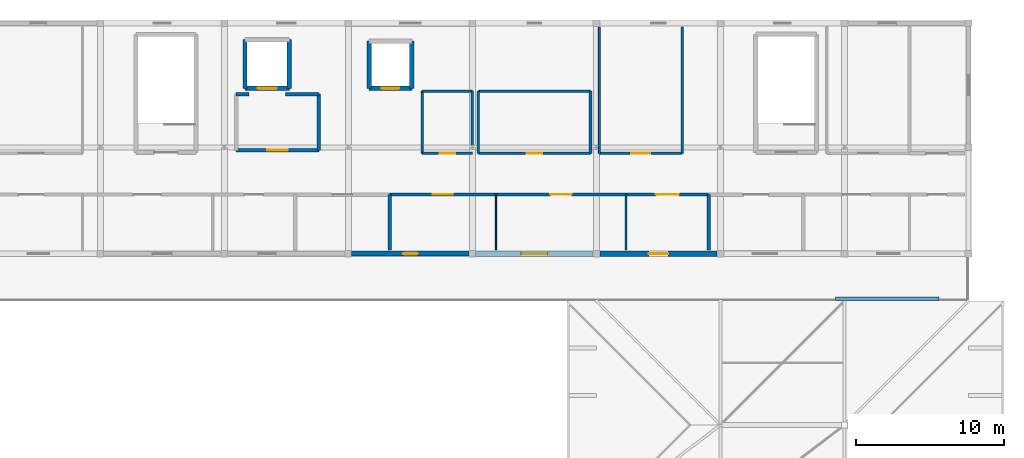
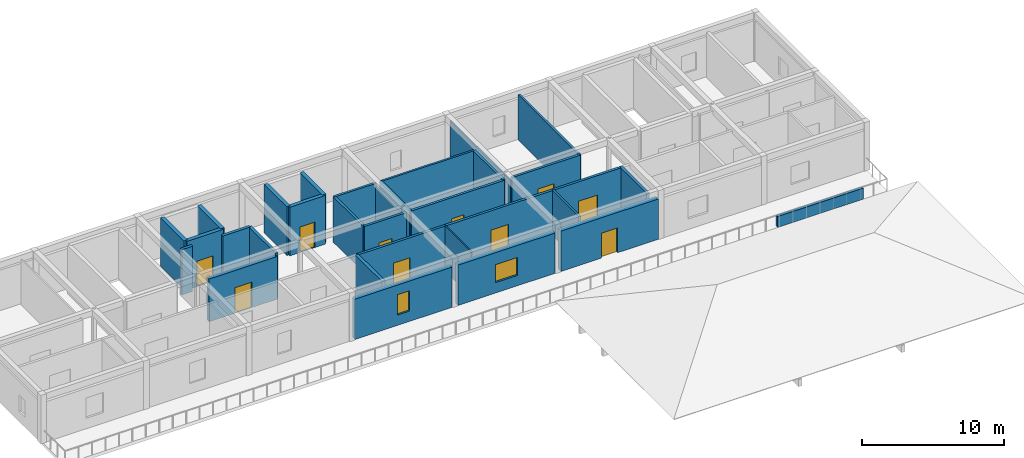
# One storey, part 18 of 22: 32 walls, 10 doors, 2 windows, 12 openings.
"""IFC4 building model written with IfcOpenShell, lengths in metres."""

import ifcopenshell
import ifcopenshell.guid

model = None  # the IFC model being written
_history = None  # IfcOwnerHistory: only IFC2X3 demands one
_inside = {}  # id of a spatial element -> (the spatial element, [elements in it])
_under = {}  # id of a project, library or spatial element -> (it, [spatial elements below it])
_declared = {}  # id of a project -> (the project, [libraries it declares])
_typed = {}  # id of a type object -> (the type object, [elements of that type])
_made_of = {}  # id of a material, layer set ... -> (it, [elements and type objects made of it])


def new_model(schema):
    """Start an empty IFC model of exactly this schema.

    Asked for "IFC4X3", IfcOpenShell would pick the latest addendum, in which some entities
    have other attributes; the version numbers below select the first issue.
    IFC2X3 requires an IfcOwnerHistory on every rooted entity: one is made here for all.
    """
    global model, _history
    if schema == "IFC4X3":
        model = ifcopenshell.file(schema_version=(4, 3, 0, 0))
    else:
        model = ifcopenshell.file(schema=schema)
    _inside.clear()
    _under.clear()
    _declared.clear()
    _typed.clear()
    _made_of.clear()
    _history = None
    if model.schema == "IFC2X3":
        org = make("IfcOrganization", Name="unknown")
        user = make(
            "IfcPersonAndOrganization",
            ThePerson=make("IfcPerson", FamilyName="unknown"),
            TheOrganization=org,
        )
        app = make(
            "IfcApplication",
            ApplicationDeveloper=org,
            Version="unknown",
            ApplicationFullName="unknown",
            ApplicationIdentifier="unknown",
        )
        _history = make(
            "IfcOwnerHistory",
            OwningUser=user,
            OwningApplication=app,
            ChangeAction="ADDED",
            CreationDate=0,
        )
    return model


def make(cls, **values):
    """One entity of the class cls with the attributes given. An attribute that is None is left unset."""
    return model.create_entity(
        cls, **{name: value for name, value in values.items() if value is not None}
    )


def rooted(cls, **values):
    """An entity with a GlobalId (a new one), such as an element, a storey or a relation."""
    return make(cls, GlobalId=ifcopenshell.guid.new(), OwnerHistory=_history, **values)


def si_unit(unit_type, name, prefix=None):
    """IfcSIUnit, for example si_unit("LENGTHUNIT", "METRE", prefix="MILLI")."""
    return make("IfcSIUnit", UnitType=unit_type, Prefix=prefix, Name=name)


def assignment(units):
    """IfcUnitAssignment: the units of a project."""
    return None if units is None else make("IfcUnitAssignment", Units=units)


def point(xyz):
    """IfcCartesianPoint."""
    return None if xyz is None else make("IfcCartesianPoint", Coordinates=xyz)


def direction(xyz):
    """IfcDirection."""
    return None if xyz is None else make("IfcDirection", DirectionRatios=xyz)


def frame(location, z_axis=None, x_axis=None):
    """IfcAxis2Placement3D, a coordinate frame: its origin and axes. An axis left out is left unset."""
    return make(
        "IfcAxis2Placement3D",
        Location=point(location),
        Axis=direction(z_axis),
        RefDirection=direction(x_axis),
    )


def frame_2d(location, x_axis=None):
    """IfcAxis2Placement2D, a coordinate frame in the plane: its origin and x axis."""
    return make(
        "IfcAxis2Placement2D", Location=point(location), RefDirection=direction(x_axis)
    )


def origin():
    """The frame at (0, 0, 0) with its axes left unset."""
    return frame((0.0, 0.0, 0.0))


def place(relative_to, where):
    """IfcLocalPlacement: puts the frame where relative to a parent placement (None: the world)."""
    return make(
        "IfcLocalPlacement", PlacementRelTo=relative_to, RelativePlacement=where
    )


def context(
    kind, dimensions, precision=None, world=None, true_north=None, identifier=None
):
    """IfcGeometricRepresentationContext, for example the 3D "Model" context."""
    return make(
        "IfcGeometricRepresentationContext",
        ContextIdentifier=identifier,
        ContextType=kind,
        CoordinateSpaceDimension=dimensions,
        Precision=precision,
        WorldCoordinateSystem=world,
        TrueNorth=true_north,
    )


def subcontext(parent, identifier, kind, view, scale=None):
    """IfcGeometricRepresentationSubContext, for example "Body" below "Model"."""
    return make(
        "IfcGeometricRepresentationSubContext",
        ContextIdentifier=identifier,
        ContextType=kind,
        ParentContext=parent,
        TargetScale=scale,
        TargetView=view,
    )


def project(units=None, contexts=None):
    """IfcProject with its units and contexts."""
    return rooted(
        "IfcProject",
        Name="project",
        RepresentationContexts=contexts,
        UnitsInContext=assignment(units),
    )


def spatial(cls, under=None, at=None, **own):
    """A site, building, storey or space (cls), placed at a placement, below another one or the project."""
    s = rooted(cls, ObjectPlacement=at, **own)
    if under is not None:
        _under.setdefault(under.id(), (under, []))[1].append(s)
    return s


def profile(cls, at=None, kind="AREA", **sizes):
    """A parametric profile (cls). Its sizes go by their IFC names, for example OverallWidth=200.0."""
    return make(cls, ProfileType=kind, Position=at, **sizes)


def rectangle(**sizes):
    """IfcRectangleProfileDef."""
    return profile("IfcRectangleProfileDef", **sizes)


def extrude(swept, where, along, depth):
    """IfcExtrudedAreaSolid: the profile swept, set in the frame where, extruded along a direction by depth."""
    return make(
        "IfcExtrudedAreaSolid",
        SweptArea=swept,
        Position=where,
        ExtrudedDirection=direction(along),
        Depth=depth,
    )


def shape(context_of_items, identifier, shape_type, items):
    """IfcShapeRepresentation: the items that make up one representation, for example the "Body"."""
    return make(
        "IfcShapeRepresentation",
        ContextOfItems=context_of_items,
        RepresentationIdentifier=identifier,
        RepresentationType=shape_type,
        Items=items,
    )


def material(Name=None, Category=None):
    """IfcMaterial."""
    return make("IfcMaterial", Name=Name, Category=Category)


def layer(
    of_material, thickness, ventilated=None, Name=None, Category=None, Priority=None
):
    """IfcMaterialLayer: one layer of a wall or slab, of a material (None: an air gap)."""
    return make(
        "IfcMaterialLayer",
        Material=of_material,
        LayerThickness=thickness,
        IsVentilated=ventilated,
        Name=Name,
        Category=Category,
        Priority=Priority,
    )


def layer_set(layers, Name=None):
    """IfcMaterialLayerSet."""
    return make("IfcMaterialLayerSet", MaterialLayers=layers, LayerSetName=Name)


def made_of(thing, what):
    """Note that an element or type object is made of a material, layer set ...; save() writes the relation."""
    if what is not None:
        _made_of.setdefault(what.id(), (what, []))[1].append(thing)
    return thing


def type_object(cls, material=None, **own):
    """A type object (cls), such as IfcWallType, which elements share."""
    return made_of(rooted(cls, **own), material)


def element(
    cls,
    number,
    at=None,
    inside=None,
    cuts=None,
    type_object=None,
    material=None,
    context=None,
    identifier="Body",
    shape_type=None,
    held_by="IfcProductDefinitionShape",
    body=None,
    shapes=None,
    **own,
):
    """One element of the class cls, such as IfcWall. Its Tag is "e" and its number.

    at: its placement. inside: the storey or other place that contains it. cuts: it is an
    opening in that element (IfcRelVoidsElement). A single representation is given by context,
    identifier, shape_type and body (its items); several are given by shapes. held_by: the class
    of the entity that holds the representations. save() writes the other relations.
    """
    e = rooted(cls, Tag="e%d" % number, ObjectPlacement=at, **own)
    if body is not None:
        shapes = [shape(context, identifier, shape_type, body)]
    if shapes is not None:
        e.Representation = make(held_by, Representations=shapes)
    if inside is not None:
        _inside.setdefault(inside.id(), (inside, []))[1].append(e)
    if cuts is not None:
        rooted(
            "IfcRelVoidsElement", RelatingBuildingElement=cuts, RelatedOpeningElement=e
        )
    if type_object is not None:
        _typed.setdefault(type_object.id(), (type_object, []))[1].append(e)
    return made_of(e, material)


def fill(opening, filler):
    """IfcRelFillsElement: the door or window that sits in an opening."""
    return rooted(
        "IfcRelFillsElement",
        RelatingOpeningElement=opening,
        RelatedBuildingElement=filler,
    )


def aggregate(whole, parts):
    """IfcRelAggregates: a whole, such as a stair, and the parts it consists of."""
    return rooted("IfcRelAggregates", RelatingObject=whole, RelatedObjects=parts)


def save(model, path):
    """Write the relations noted so far, then the file.

    IfcRelAggregates (storeys below a building ...), IfcRelContainedInSpatialStructure (elements
    in a storey), IfcRelDefinesByType, IfcRelAssociatesMaterial and IfcRelDeclares: one each for
    every whole, place, type object, material and project.
    """
    for whole, parts in _under.values():
        aggregate(whole, parts)
    for where, things in _inside.values():
        rooted(
            "IfcRelContainedInSpatialStructure",
            RelatedElements=things,
            RelatingStructure=where,
        )
    for kind, things in _typed.values():
        rooted("IfcRelDefinesByType", RelatedObjects=things, RelatingType=kind)
    for what, things in _made_of.values():
        rooted("IfcRelAssociatesMaterial", RelatedObjects=things, RelatingMaterial=what)
    for by, libraries in _declared.values():
        rooted("IfcRelDeclares", RelatingContext=by, RelatedDefinitions=libraries)
    model.write(path)


model = new_model("IFC4")

# Units and contexts
model_context = context("Model", 3, precision=1e-05, world=origin(), true_north=direction((0.0, 1.0)))
body_context = subcontext(model_context, "Body", "Model", "MODEL_VIEW")
ifc_project = project(units=[si_unit("LENGTHUNIT", "METRE"), si_unit("AREAUNIT", "SQUARE_METRE"), si_unit("VOLUMEUNIT", "CUBIC_METRE"), si_unit("PLANEANGLEUNIT", "RADIAN"), si_unit("MASSUNIT", "GRAM", prefix="KILO")], contexts=[model_context])

# Site, building, storey
site_placement = place(None, origin())
site = spatial("IfcSite", under=ifc_project, at=site_placement, CompositionType="ELEMENT")
building_placement = place(site_placement, origin())
building = spatial("IfcBuilding", under=site, at=building_placement, Name="Varncliffe General Hospital", CompositionType="ELEMENT")
storey_placement = place(building_placement, frame((0.0, 0.0, 33.0)))
storey = spatial("IfcBuildingStorey", under=building, at=storey_placement, Name="L07", CompositionType="ELEMENT", Elevation=33.0)

# Wall, opening, door
ifc_material_1 = material(Name="Precast concrete C40/50 with insulated cream lime-cement stucco", Category="concrete")
ifc_layer_1 = layer(ifc_material_1, 0.3798828125)
ifc_layer_set_1 = layer_set([ifc_layer_1], Name="Precast concrete C40/50 with insulated cream lime-cement stucco")
wall_type_1 = type_object("IfcWallType", Name="Exterior Insulated Stucco Wall EW26 (380mm)", PredefinedType="SOLIDWALL", material=ifc_layer_set_1)
wall_1_placement = place(storey_placement, frame((159.376953125, 109.199951171875, 0.0), z_axis=(0.0, 0.0, 1.0), x_axis=(-1.0, 0.0, 0.0)))
wall_1 = element("IfcWall", 1, at=wall_1_placement, inside=storey, type_object=wall_type_1, Name="L07 Exterior Stucco Wall EW26-571", PredefinedType="SOLIDWALL", context=body_context, shape_type="SweptSolid", body=[
    extrude(rectangle(XDim=7.953857421875, YDim=0.3798828125, at=frame_2d((3.97705078125, 0.0))), origin(), (0.0, 0.0, 1.0), 3.47998046875),
])
opening_1_placement = place(wall_1_placement, frame((3.326904296875, 0.0, 0.0)))
opening_1 = element("IfcOpeningElement", 2, at=opening_1_placement, cuts=wall_1, Name="Opening DE35", PredefinedType="OPENING", context=body_context, shape_type="SweptSolid", body=[
    extrude(rectangle(XDim=1.300048828125, YDim=2.14990234375, at=frame_2d((0.64990234375, 1.074951171875))), frame((0.0, 0.199951171875, 0.0), z_axis=(0.0, -1.0, 0.0), x_axis=(1.0, 0.0, 0.0)), (0.0, 0.0, 1.0), 0.39990234375),
])
ifc_material_2 = material(Name="Thermally broken bronze-anodized aluminium and safety glass door", Category="aluminium")
door_type_1 = type_object("IfcDoorType", Name="Exterior Pedestrian Door DE35 (1300x2150)", OperationType="NOTDEFINED", PredefinedType="DOOR", material=ifc_material_2)
door_1_placement = place(opening_1_placement, origin())
door_1 = element("IfcDoor", 3, at=door_1_placement, inside=storey, type_object=door_type_1, Name="L07 Healing Terrace Access Door 44", OperationType="SINGLE_SWING_LEFT", OverallHeight=2.14990234375, OverallWidth=1.300048828125, PredefinedType="DOOR", context=body_context, shape_type="SweptSolid", body=[
    extrude(rectangle(XDim=1.300048828125, YDim=2.14990234375, at=frame_2d((0.64990234375, 1.074951171875))), frame((0.0, 0.02490234375, 0.0), z_axis=(0.0, -1.0, 0.0), x_axis=(1.0, 0.0, 0.0)), (0.0, 0.0, 1.0), 0.050048828125),
])
fill(opening_1, door_1)

# Wall, opening, window
ifc_layer_2 = layer(ifc_material_1, 0.330078125)
ifc_layer_set_2 = layer_set([ifc_layer_2], Name="Precast concrete C40/50 with insulated cream lime-cement stucco")
wall_type_2 = type_object("IfcWallType", Name="Exterior Insulated Stucco Wall EW33 (330mm)", PredefinedType="SOLIDWALL", material=ifc_layer_set_2)
wall_2_placement = place(storey_placement, frame((142.576904296875, 109.199951171875, 0.0), z_axis=(0.0, 0.0, 1.0), x_axis=(-1.0, 0.0, 0.0)))
wall_2 = element("IfcWall", 4, at=wall_2_placement, inside=storey, type_object=wall_type_2, Name="L07 Exterior Stucco Wall EW33-573", PredefinedType="SOLIDWALL", context=body_context, shape_type="SweptSolid", body=[
    extrude(rectangle(XDim=7.953857421875, YDim=0.330078125, at=frame_2d((3.97705078125, 0.0))), origin(), (0.0, 0.0, 1.0), 3.47998046875),
])
opening_2_placement = place(wall_2_placement, frame((3.47705078125, 0.0, 0.89990234375)))
opening_2 = element("IfcOpeningElement", 5, at=opening_2_placement, cuts=wall_2, Name="Opening WN53", PredefinedType="OPENING", context=body_context, shape_type="SweptSolid", body=[
    extrude(rectangle(XDim=1.0, YDim=1.75, at=frame_2d((0.5, 0.875))), frame((0.0, 0.175048828125, 0.0), z_axis=(0.0, -1.0, 0.0), x_axis=(1.0, 0.0, 0.0)), (0.0, 0.0, 1.0), 0.35009765625),
])
ifc_material_3 = material(Name="Triple low-E argon insulated vision glazing", Category="glass")
window_type_1 = type_object("IfcWindowType", Name="Triple-Glazed Hospital Window WN53 (1000x1750)", PartitioningType="SINGLE_PANEL", PredefinedType="WINDOW", material=ifc_material_3)
window_1_placement = place(opening_2_placement, origin())
window_1 = element("IfcWindow", 6, at=window_1_placement, inside=storey, type_object=window_type_1, Name="L07 Hospital Window WN53-455", OverallHeight=1.75, OverallWidth=1.0, PartitioningType="SINGLE_PANEL", PredefinedType="WINDOW", context=body_context, shape_type="SweptSolid", body=[
    extrude(rectangle(XDim=1.0, YDim=1.75, at=frame_2d((0.5, 0.875))), frame((0.0, 0.030029296875, 0.0), z_axis=(0.0, -1.0, 0.0), x_axis=(1.0, 0.0, 0.0)), (0.0, 0.0, 1.0), 0.06005859375),
])
fill(opening_2, window_1)

ifc_layer_3 = layer(ifc_material_1, 0.35009765625)
ifc_layer_set_3 = layer_set([ifc_layer_3], Name="Precast concrete C40/50 with insulated cream lime-cement stucco")
wall_type_3 = type_object("IfcWallType", Name="Exterior Insulated Stucco Wall EW37 (350mm)", PredefinedType="SOLIDWALL", material=ifc_layer_set_3)
wall_3_placement = place(storey_placement, frame((150.97705078125, 109.199951171875, 0.0), z_axis=(0.0, 0.0, 1.0), x_axis=(-1.0, 0.0, 0.0)))
wall_3 = element("IfcWall", 7, at=wall_3_placement, inside=storey, type_object=wall_type_3, Name="L07 Exterior Stucco Wall EW37-572", PredefinedType="SOLIDWALL", context=body_context, shape_type="SweptSolid", body=[
    extrude(rectangle(XDim=7.9541015625, YDim=0.35009765625, at=frame_2d((3.97705078125, 0.0))), origin(), (0.0, 0.0, 1.0), 3.47998046875),
])
opening_3_placement = place(wall_3_placement, frame((3.076904296875, 0.0, 0.89990234375)))
opening_3 = element("IfcOpeningElement", 8, at=opening_3_placement, cuts=wall_3, Name="Opening WN52", PredefinedType="OPENING", context=body_context, shape_type="SweptSolid", body=[
    extrude(rectangle(XDim=1.800048828125, YDim=1.550048828125, at=frame_2d((0.89990234375, 0.77490234375))), frame((0.0, 0.18505859375, 0.0), z_axis=(0.0, -1.0, 0.0), x_axis=(1.0, 0.0, 0.0)), (0.0, 0.0, 1.0), 0.3701171875),
])
window_type_2 = type_object("IfcWindowType", Name="Triple-Glazed Hospital Window WN52 (1800x1550)", PartitioningType="DOUBLE_PANEL_VERTICAL", PredefinedType="WINDOW", material=ifc_material_3)
window_2_placement = place(opening_3_placement, origin())
window_2 = element("IfcWindow", 9, at=window_2_placement, inside=storey, type_object=window_type_2, Name="L07 Hospital Window WN52-454", OverallHeight=1.550048828125, OverallWidth=1.800048828125, PartitioningType="DOUBLE_PANEL_VERTICAL", PredefinedType="WINDOW", context=body_context, shape_type="SweptSolid", body=[
    extrude(rectangle(XDim=1.800048828125, YDim=1.550048828125, at=frame_2d((0.89990234375, 0.77490234375))), frame((0.0, 0.030029296875, 0.0), z_axis=(0.0, -1.0, 0.0), x_axis=(1.0, 0.0, 0.0)), (0.0, 0.0, 1.0), 0.06005859375),
])
fill(opening_3, window_2)

# Walls
ifc_material_4 = material(Name="Acoustic clinical gypsum stud partition assembly", Category="gypsum")
ifc_layer_4 = layer(ifc_material_4, 0.1298828125)
ifc_layer_set_4 = layer_set([ifc_layer_4], Name="Acoustic clinical gypsum stud partition assembly")
wall_type_4 = type_object("IfcWallType", Name="Interior Partitioning IW11 (130mm)", PredefinedType="PARTITIONING", material=ifc_layer_set_4)
wall_4_placement = place(storey_placement, frame((151.39990234375, 116.0, 0.0), z_axis=(0.0, 0.0, 1.0), x_axis=(0.0, 1.0, 0.0)))
element("IfcWall", 10, at=wall_4_placement, inside=storey, type_object=wall_type_4, Name="L07 Interior Partition Wall IW11-2403", PredefinedType="PARTITIONING", context=body_context, shape_type="SweptSolid", body=[
    extrude(rectangle(XDim=8.5400390625, YDim=0.1298828125, at=frame_2d((4.27001953125, 0.0))), origin(), (0.0, 0.0, 1.0), 3.635009765625),
])
ifc_layer_5 = layer(ifc_material_4, 0.169921875)
ifc_layer_set_5 = layer_set([ifc_layer_5], Name="Acoustic clinical gypsum stud partition assembly")
wall_type_5 = type_object("IfcWallType", Name="Interior Partitioning IW20 (170mm)", PredefinedType="PARTITIONING", material=ifc_layer_set_5)
wall_5_placement = place(storey_placement, frame((157.0, 116.0, 0.0), z_axis=(0.0, 0.0, 1.0), x_axis=(0.0, 1.0, 0.0)))
element("IfcWall", 11, at=wall_5_placement, inside=storey, type_object=wall_type_5, Name="L07 Interior Partition Wall IW20-2405", PredefinedType="PARTITIONING", context=body_context, shape_type="SweptSolid", body=[
    extrude(rectangle(XDim=8.5400390625, YDim=0.169921875, at=frame_2d((4.27001953125, 0.0))), origin(), (0.0, 0.0, 1.0), 3.919921875),
])
ifc_layer_6 = layer(ifc_material_4, 0.14990234375)
ifc_layer_set_6 = layer_set([ifc_layer_6], Name="Acoustic clinical gypsum stud partition assembly")
wall_type_6 = type_object("IfcWallType", Name="Interior Partitioning IW35 (150mm)", PredefinedType="PARTITIONING", material=ifc_layer_set_6)
wall_6_placement = place(storey_placement, frame((153.199951171875, 109.4599609375, 0.0), z_axis=(0.0, 0.0, 1.0), x_axis=(0.0, 1.0, 0.0)))
element("IfcWall", 12, at=wall_6_placement, inside=storey, type_object=wall_type_6, Name="L07 Interior Partition Wall IW35-2404", PredefinedType="PARTITIONING", context=body_context, shape_type="SweptSolid", body=[
    extrude(rectangle(XDim=3.739990234375, YDim=0.14990234375, at=frame_2d((1.8701171875, 0.0))), origin(), (0.0, 0.0, 1.0), 3.919921875),
])
ifc_layer_7 = layer(ifc_material_4, 0.090087890625)
ifc_layer_set_7 = layer_set([ifc_layer_7], Name="Acoustic clinical gypsum stud partition assembly")
wall_type_7 = type_object("IfcWallType", Name="Interior Partitioning IW42 (90mm)", PredefinedType="PARTITIONING", material=ifc_layer_set_7)
wall_7_placement = place(storey_placement, frame((144.39990234375, 109.4599609375, 0.0), z_axis=(0.0, 0.0, 1.0), x_axis=(0.0, 1.0, 0.0)))
element("IfcWall", 13, at=wall_7_placement, inside=storey, type_object=wall_type_7, Name="L07 Interior Partition Wall IW42-2401", PredefinedType="PARTITIONING", context=body_context, shape_type="SweptSolid", body=[
    extrude(rectangle(XDim=3.739990234375, YDim=0.090087890625, at=frame_2d((1.8701171875, 0.0))), origin(), (0.0, 0.0, 1.0), 3.919921875),
])

# Wall, opening, door
ifc_material_5 = material(Name="Fire-rated gypsum and mineral-wool partition assembly", Category="gypsum")
ifc_layer_8 = layer(ifc_material_5, 0.25)
ifc_layer_set_8 = layer_set([ifc_layer_8], Name="Fire-rated gypsum and mineral-wool partition assembly")
wall_type_8 = type_object("IfcWallType", Name="Interior Partitioning PW38 (250mm)", PredefinedType="PARTITIONING", material=ifc_layer_set_8)
wall_8_placement = place(storey_placement, frame((126.800048828125, 116.199951171875, 0.0), z_axis=(0.0, 0.0, 1.0), x_axis=(1.0, 0.0, 0.0)))
wall_8 = element("IfcWall", 14, at=wall_8_placement, inside=storey, type_object=wall_type_8, Name="L07 Interior Partition Wall PW38-2361", PredefinedType="PARTITIONING", context=body_context, shape_type="SweptSolid", body=[
    extrude(rectangle(XDim=5.599853515625, YDim=0.25, at=frame_2d((2.7998046875, 0.0))), origin(), (0.0, 0.0, 1.0), 3.68505859375),
])
opening_4_placement = place(wall_8_placement, frame((2.10009765625, 0.0, 0.0)))
opening_4 = element("IfcOpeningElement", 15, at=opening_4_placement, cuts=wall_8, Name="Opening DF81", PredefinedType="OPENING", context=body_context, shape_type="SweptSolid", body=[
    extrude(rectangle(XDim=1.39990234375, YDim=2.199951171875, at=frame_2d((0.699951171875, 1.10009765625))), frame((0.0, 0.135009765625, 0.0), z_axis=(0.0, -1.0, 0.0), x_axis=(1.0, 0.0, 0.0)), (0.0, 0.0, 1.0), 0.27001953125),
])
ifc_material_6 = material(Name="Fire-rated hospital steel-frame vision-panel door", Category="steel")
door_type_2 = type_object("IfcDoorType", Name="Interior Hospital Door DF81 (1400x2200)", OperationType="NOTDEFINED", PredefinedType="DOOR", material=ifc_material_6)
door_2_placement = place(opening_4_placement, origin())
door_2 = element("IfcDoor", 16, at=door_2_placement, inside=storey, type_object=door_type_2, Name="L07 Firefighting Lift Lobby LF03 Door", OperationType="SINGLE_SWING_LEFT", OverallHeight=2.199951171875, OverallWidth=1.39990234375, PredefinedType="DOOR", context=body_context, shape_type="SweptSolid", body=[
    extrude(rectangle(XDim=1.39990234375, YDim=2.199951171875, at=frame_2d((0.699951171875, 1.10009765625))), frame((0.0, 0.02490234375, 0.0), z_axis=(0.0, -1.0, 0.0), x_axis=(1.0, 0.0, 0.0)), (0.0, 0.0, 1.0), 0.050048828125),
])
fill(opening_4, door_2)

# Walls
wall_9_placement = place(storey_placement, frame((137.199951171875, 109.4599609375, 0.0), z_axis=(0.0, 0.0, 1.0), x_axis=(0.0, 1.0, 0.0)))
element("IfcWall", 17, at=wall_9_placement, inside=storey, type_object=wall_type_8, Name="L07 Interior Partition Wall PW38-2397", PredefinedType="PARTITIONING", context=body_context, shape_type="SweptSolid", body=[
    extrude(rectangle(XDim=3.739990234375, YDim=0.25, at=frame_2d((1.8701171875, 0.0))), origin(), (0.0, 0.0, 1.0), 3.919921875),
])
ifc_layer_9 = layer(ifc_material_5, 0.22998046875)
ifc_layer_set_9 = layer_set([ifc_layer_9], Name="Fire-rated gypsum and mineral-wool partition assembly")
wall_type_9 = type_object("IfcWallType", Name="Interior Partitioning PW48 (230mm)", PredefinedType="PARTITIONING", material=ifc_layer_set_9)
wall_10_placement = place(storey_placement, frame((130.135986328125, 120.0, 0.0), z_axis=(0.0, 0.0, 1.0), x_axis=(1.0, 0.0, 0.0)))
element("IfcWall", 18, at=wall_10_placement, inside=storey, type_object=wall_type_9, Name="L07 Interior Partition Wall PW48-2366", PredefinedType="PARTITIONING", context=body_context, shape_type="SweptSolid", body=[
    extrude(rectangle(XDim=2.263916015625, YDim=0.22998046875, at=frame_2d((1.1318359375, 0.0))), origin(), (0.0, 0.0, 1.0), 3.919921875),
])
wall_11_placement = place(storey_placement, frame((126.800048828125, 120.0, 0.0), z_axis=(0.0, 0.0, 1.0), x_axis=(1.0, 0.0, 0.0)))
element("IfcWall", 19, at=wall_11_placement, inside=storey, type_object=wall_type_9, Name="L07 Interior Partition Wall PW48-2367", PredefinedType="PARTITIONING", context=body_context, shape_type="SweptSolid", body=[
    extrude(rectangle(XDim=0.864013671875, YDim=0.22998046875, at=frame_2d((0.43212890625, 0.0))), origin(), (0.0, 0.0, 1.0), 3.919921875),
])
wall_12_placement = place(storey_placement, frame((132.39990234375, 116.199951171875, 0.0), z_axis=(0.0, 0.0, 1.0), x_axis=(0.0, 1.0, 0.0)))
element("IfcWall", 20, at=wall_12_placement, inside=storey, type_object=wall_type_9, Name="L07 Interior Partition Wall PW48-2396", PredefinedType="PARTITIONING", context=body_context, shape_type="SweptSolid", body=[
    extrude(rectangle(XDim=3.800048828125, YDim=0.22998046875, at=frame_2d((1.89990234375, 0.0))), origin(), (0.0, 0.0, 1.0), 3.919921875),
])
wall_13_placement = place(storey_placement, frame((158.800048828125, 109.4599609375, 0.0), z_axis=(0.0, 0.0, 1.0), x_axis=(0.0, 1.0, 0.0)))
element("IfcWall", 21, at=wall_13_placement, inside=storey, type_object=wall_type_9, Name="L07 Interior Partition Wall PW48-2406", PredefinedType="PARTITIONING", context=body_context, shape_type="SweptSolid", body=[
    extrude(rectangle(XDim=3.739990234375, YDim=0.22998046875, at=frame_2d((1.8701171875, 0.0))), origin(), (0.0, 0.0, 1.0), 3.919921875),
])

# Wall, opening, door
ifc_layer_10 = layer(ifc_material_5, 0.199951171875)
ifc_layer_set_10 = layer_set([ifc_layer_10], Name="Fire-rated gypsum and mineral-wool partition assembly")
wall_type_10 = type_object("IfcWallType", Name="Interior Partitioning PW63 (200mm)", PredefinedType="PARTITIONING", material=ifc_layer_set_10)
wall_14_placement = place(storey_placement, frame((137.199951171875, 113.199951171875, 0.0), z_axis=(0.0, 0.0, 1.0), x_axis=(1.0, 0.0, 0.0)))
wall_14 = element("IfcWall", 22, at=wall_14_placement, inside=storey, type_object=wall_type_10, Name="L07 Interior Partition Wall PW63-2343", PredefinedType="PARTITIONING", context=body_context, shape_type="SweptSolid", body=[
    extrude(rectangle(XDim=7.199951171875, YDim=0.199951171875, at=frame_2d((3.60009765625, 0.0))), origin(), (0.0, 0.0, 1.0), 3.919921875),
])
opening_5_placement = place(wall_14_placement, frame((2.925048828125, 0.0, 0.0)))
opening_5 = element("IfcOpeningElement", 23, at=opening_5_placement, cuts=wall_14, Name="Opening DC85", PredefinedType="OPENING", context=body_context, shape_type="SweptSolid", body=[
    extrude(rectangle(XDim=1.35009765625, YDim=2.199951171875, at=frame_2d((0.675048828125, 1.10009765625))), frame((0.0, 0.10986328125, 0.0), z_axis=(0.0, -1.0, 0.0), x_axis=(1.0, 0.0, 0.0)), (0.0, 0.0, 1.0), 0.219970703125),
])
door_type_3 = type_object("IfcDoorType", Name="Interior Hospital Door DC85 (1350x2200)", OperationType="NOTDEFINED", PredefinedType="DOOR", material=ifc_material_6)
door_3_placement = place(opening_5_placement, frame((1.35009765625, 0.0, 0.0), z_axis=(0.0, 0.0, 1.0), x_axis=(-1.0, 0.0, 0.0)))
door_3 = element("IfcDoor", 24, at=door_3_placement, inside=storey, type_object=door_type_3, Name="L07 Adolescent Inpatient Suite 31 Door", OperationType="SINGLE_SWING_LEFT", OverallHeight=2.199951171875, OverallWidth=1.35009765625, PredefinedType="DOOR", context=body_context, shape_type="SweptSolid", body=[
    extrude(rectangle(XDim=1.35009765625, YDim=2.199951171875, at=frame_2d((0.675048828125, 1.10009765625))), frame((0.0, 0.02490234375, 0.0), z_axis=(0.0, -1.0, 0.0), x_axis=(1.0, 0.0, 0.0)), (0.0, 0.0, 1.0), 0.050048828125),
])
fill(opening_5, door_3)

wall_15_placement = place(storey_placement, frame((144.39990234375, 113.199951171875, 0.0), z_axis=(0.0, 0.0, 1.0), x_axis=(1.0, 0.0, 0.0)))
wall_15 = element("IfcWall", 25, at=wall_15_placement, inside=storey, type_object=wall_type_10, Name="L07 Interior Partition Wall PW63-2344", PredefinedType="PARTITIONING", context=body_context, shape_type="SweptSolid", body=[
    extrude(rectangle(XDim=8.800048828125, YDim=0.199951171875, at=frame_2d((4.39990234375, 0.0))), origin(), (0.0, 0.0, 1.0), 3.919921875),
])
opening_6_placement = place(wall_15_placement, frame((3.675048828125, 0.0, 0.0)))
opening_6 = element("IfcOpeningElement", 26, at=opening_6_placement, cuts=wall_15, Name="Opening DC66", PredefinedType="OPENING", context=body_context, shape_type="SweptSolid", body=[
    extrude(rectangle(XDim=1.449951171875, YDim=2.25, at=frame_2d((0.72509765625, 1.125))), frame((0.0, 0.10986328125, 0.0), z_axis=(0.0, -1.0, 0.0), x_axis=(1.0, 0.0, 0.0)), (0.0, 0.0, 1.0), 0.219970703125),
])
door_type_4 = type_object("IfcDoorType", Name="Interior Hospital Door DC66 (1450x2250)", OperationType="NOTDEFINED", PredefinedType="DOOR", material=ifc_material_6)
door_4_placement = place(opening_6_placement, frame((1.449951171875, 0.0, 0.0), z_axis=(0.0, 0.0, 1.0), x_axis=(-1.0, 0.0, 0.0)))
door_4 = element("IfcDoor", 27, at=door_4_placement, inside=storey, type_object=door_type_4, Name="L07 Patient Healing Solarium 32 Door", OperationType="SINGLE_SWING_RIGHT", OverallHeight=2.25, OverallWidth=1.449951171875, PredefinedType="DOOR", context=body_context, shape_type="SweptSolid", body=[
    extrude(rectangle(XDim=1.449951171875, YDim=2.25, at=frame_2d((0.72509765625, 1.125))), frame((0.0, 0.02490234375, 0.0), z_axis=(0.0, -1.0, 0.0), x_axis=(1.0, 0.0, 0.0)), (0.0, 0.0, 1.0), 0.050048828125),
])
fill(opening_6, door_4)

wall_16_placement = place(storey_placement, frame((153.199951171875, 113.199951171875, 0.0), z_axis=(0.0, 0.0, 1.0), x_axis=(1.0, 0.0, 0.0)))
wall_16 = element("IfcWall", 28, at=wall_16_placement, inside=storey, type_object=wall_type_10, Name="L07 Interior Partition Wall PW63-2345", PredefinedType="PARTITIONING", context=body_context, shape_type="SweptSolid", body=[
    extrude(rectangle(XDim=5.60009765625, YDim=0.199951171875, at=frame_2d((2.800048828125, 0.0))), origin(), (0.0, 0.0, 1.0), 3.919921875),
])
opening_7_placement = place(wall_16_placement, frame((2.02490234375, 0.0, 0.0)))
opening_7 = element("IfcOpeningElement", 29, at=opening_7_placement, cuts=wall_16, Name="Opening DC67", PredefinedType="OPENING", context=body_context, shape_type="SweptSolid", body=[
    extrude(rectangle(XDim=1.550048828125, YDim=2.25, at=frame_2d((0.77490234375, 1.125))), frame((0.0, 0.10986328125, 0.0), z_axis=(0.0, -1.0, 0.0), x_axis=(1.0, 0.0, 0.0)), (0.0, 0.0, 1.0), 0.219970703125),
])
door_type_5 = type_object("IfcDoorType", Name="Interior Hospital Door DC67 (1550x2250)", OperationType="NOTDEFINED", PredefinedType="DOOR", material=ifc_material_6)
door_5_placement = place(opening_7_placement, frame((1.550048828125, 0.0, 0.0), z_axis=(0.0, 0.0, 1.0), x_axis=(-1.0, 0.0, 0.0)))
door_5 = element("IfcDoor", 30, at=door_5_placement, inside=storey, type_object=door_type_5, Name="L07 On-Call Physician Duty Room 33 Door", OperationType="SINGLE_SWING_LEFT", OverallHeight=2.25, OverallWidth=1.550048828125, PredefinedType="DOOR", context=body_context, shape_type="SweptSolid", body=[
    extrude(rectangle(XDim=1.550048828125, YDim=2.25, at=frame_2d((0.77490234375, 1.125))), frame((0.0, 0.02490234375, 0.0), z_axis=(0.0, -1.0, 0.0), x_axis=(1.0, 0.0, 0.0)), (0.0, 0.0, 1.0), 0.050048828125),
])
fill(opening_7, door_5)

wall_17_placement = place(storey_placement, frame((139.39990234375, 116.0, 0.0), z_axis=(0.0, 0.0, 1.0), x_axis=(1.0, 0.0, 0.0)))
wall_17 = element("IfcWall", 31, at=wall_17_placement, inside=storey, type_object=wall_type_10, Name="L07 Interior Partition Wall PW63-2354", PredefinedType="PARTITIONING", context=body_context, shape_type="SweptSolid", body=[
    extrude(rectangle(XDim=3.400146484375, YDim=0.199951171875, at=frame_2d((1.7001953125, 0.0))), origin(), (0.0, 0.0, 1.0), 3.919921875),
])
opening_8_placement = place(wall_17_placement, frame((1.179931640625, 0.0, 0.0)))
opening_8 = element("IfcOpeningElement", 32, at=opening_8_placement, cuts=wall_17, Name="Opening DI77", PredefinedType="OPENING", context=body_context, shape_type="SweptSolid", body=[
    extrude(rectangle(XDim=1.0400390625, YDim=2.10009765625, at=frame_2d((0.52001953125, 1.050048828125))), frame((0.0, 0.10986328125, 0.0), z_axis=(0.0, -1.0, 0.0), x_axis=(1.0, 0.0, 0.0)), (0.0, 0.0, 1.0), 0.219970703125),
])
ifc_material_7 = material(Name="Solid-core antimicrobial hospital oak veneer door", Category="wood")
door_type_6 = type_object("IfcDoorType", Name="Interior Hospital Door DI77 (1040x2100)", OperationType="NOTDEFINED", PredefinedType="DOOR", material=ifc_material_7)
door_6_placement = place(opening_8_placement, origin())
door_6 = element("IfcDoor", 33, at=door_6_placement, inside=storey, type_object=door_type_6, Name="L07 Accessible WC L07-NE Door", OperationType="SINGLE_SWING_RIGHT", OverallHeight=2.10009765625, OverallWidth=1.0400390625, PredefinedType="DOOR", context=body_context, shape_type="SweptSolid", body=[
    extrude(rectangle(XDim=1.0400390625, YDim=2.10009765625, at=frame_2d((0.52001953125, 1.050048828125))), frame((0.0, 0.02490234375, 0.0), z_axis=(0.0, -1.0, 0.0), x_axis=(1.0, 0.0, 0.0)), (0.0, 0.0, 1.0), 0.050048828125),
])
fill(opening_8, door_6)

wall_18_placement = place(storey_placement, frame((143.199951171875, 116.0, 0.0), z_axis=(0.0, 0.0, 1.0), x_axis=(1.0, 0.0, 0.0)))
wall_18 = element("IfcWall", 34, at=wall_18_placement, inside=storey, type_object=wall_type_10, Name="L07 Interior Partition Wall PW63-2355", PredefinedType="PARTITIONING", context=body_context, shape_type="SweptSolid", body=[
    extrude(rectangle(XDim=7.60009765625, YDim=0.199951171875, at=frame_2d((3.800048828125, 0.0))), origin(), (0.0, 0.0, 1.0), 3.919921875),
])
opening_9_placement = place(wall_18_placement, frame((3.280029296875, 0.0, 0.0)))
opening_9 = element("IfcOpeningElement", 35, at=opening_9_placement, cuts=wall_18, Name="Opening DI77", PredefinedType="OPENING", context=body_context, shape_type="SweptSolid", body=[
    extrude(rectangle(XDim=1.0400390625, YDim=2.10009765625, at=frame_2d((0.52001953125, 1.050048828125))), frame((0.0, 0.10986328125, 0.0), z_axis=(0.0, -1.0, 0.0), x_axis=(1.0, 0.0, 0.0)), (0.0, 0.0, 1.0), 0.219970703125),
])
door_7_placement = place(opening_9_placement, origin())
door_7 = element("IfcDoor", 36, at=door_7_placement, inside=storey, type_object=door_type_6, Name="L07 Staff and Visitor WC L07-NE Door", OperationType="SINGLE_SWING_LEFT", OverallHeight=2.10009765625, OverallWidth=1.0400390625, PredefinedType="DOOR", context=body_context, shape_type="SweptSolid", body=[
    extrude(rectangle(XDim=1.0400390625, YDim=2.10009765625, at=frame_2d((0.52001953125, 1.050048828125))), frame((0.0, 0.02490234375, 0.0), z_axis=(0.0, -1.0, 0.0), x_axis=(1.0, 0.0, 0.0)), (0.0, 0.0, 1.0), 0.050048828125),
])
fill(opening_9, door_7)

wall_19_placement = place(storey_placement, frame((151.39990234375, 116.0, 0.0), z_axis=(0.0, 0.0, 1.0), x_axis=(1.0, 0.0, 0.0)))
wall_19 = element("IfcWall", 37, at=wall_19_placement, inside=storey, type_object=wall_type_10, Name="L07 Interior Partition Wall PW63-2356", PredefinedType="PARTITIONING", context=body_context, shape_type="SweptSolid", body=[
    extrude(rectangle(XDim=5.60009765625, YDim=0.199951171875, at=frame_2d((2.800048828125, 0.0))), origin(), (0.0, 0.0, 1.0), 3.919921875),
])
opening_10_placement = place(wall_19_placement, frame((2.14990234375, 0.0, 0.0)))
opening_10 = element("IfcOpeningElement", 38, at=opening_10_placement, cuts=wall_19, Name="Opening DC88", PredefinedType="OPENING", context=body_context, shape_type="SweptSolid", body=[
    extrude(rectangle(XDim=1.300048828125, YDim=2.199951171875, at=frame_2d((0.64990234375, 1.10009765625))), frame((0.0, 0.10986328125, 0.0), z_axis=(0.0, -1.0, 0.0), x_axis=(1.0, 0.0, 0.0)), (0.0, 0.0, 1.0), 0.219970703125),
])
door_type_7 = type_object("IfcDoorType", Name="Interior Hospital Door DC88 (1300x2200)", OperationType="NOTDEFINED", PredefinedType="DOOR", material=ifc_material_6)
door_8_placement = place(opening_10_placement, origin())
door_8 = element("IfcDoor", 39, at=door_8_placement, inside=storey, type_object=door_type_7, Name="L07 On-Call Physician Duty Room 40 Door", OperationType="SINGLE_SWING_RIGHT", OverallHeight=2.199951171875, OverallWidth=1.300048828125, PredefinedType="DOOR", context=body_context, shape_type="SweptSolid", body=[
    extrude(rectangle(XDim=1.300048828125, YDim=2.199951171875, at=frame_2d((0.64990234375, 1.10009765625))), frame((0.0, 0.02490234375, 0.0), z_axis=(0.0, -1.0, 0.0), x_axis=(1.0, 0.0, 0.0)), (0.0, 0.0, 1.0), 0.050048828125),
])
fill(opening_10, door_8)

# Walls
ifc_material_8 = material(Name="Moisture-resistant plumbing chase wall assembly", Category="gypsum")
ifc_layer_11 = layer(ifc_material_8, 0.18994140625)
ifc_layer_set_11 = layer_set([ifc_layer_11], Name="Moisture-resistant plumbing chase wall assembly")
wall_type_11 = type_object("IfcWallType", Name="Interior Plumbingwall MW17 (190mm)", PredefinedType="PLUMBINGWALL", material=ifc_layer_set_11)
wall_20_placement = place(storey_placement, frame((139.39990234375, 120.199951171875, 0.0), z_axis=(0.0, 0.0, 1.0), x_axis=(1.0, 0.0, 0.0)))
element("IfcWall", 40, at=wall_20_placement, inside=storey, type_object=wall_type_11, Name="L07 Interior Plumbing Wall MW17-2370", PredefinedType="PLUMBINGWALL", context=body_context, shape_type="SweptSolid", body=[
    extrude(rectangle(XDim=3.400146484375, YDim=0.18994140625, at=frame_2d((1.7001953125, 0.0))), origin(), (0.0, 0.0, 1.0), 3.919921875),
])
for number, where, z_axis, x_axis, name in (
    (41, (139.39990234375, 116.0, 0.0), (0.0, 0.0, 1.0), (0.0, 1.0, 0.0), "L07 Interior Plumbing Wall MW17-2398"),
    (42, (143.199951171875, 116.0, 0.0), (0.0, 0.0, 1.0), (0.0, 1.0, 0.0), "L07 Interior Plumbing Wall MW17-2400"),
    (43, (150.800048828125, 116.0, 0.0), (0.0, 0.0, 1.0), (0.0, 1.0, 0.0), "L07 Interior Plumbing Wall MW17-2402"),
):
    element("IfcWall", number, at=place(storey_placement, frame(where, z_axis=z_axis, x_axis=x_axis)), inside=storey, type_object=wall_type_11, Name=name, PredefinedType="PLUMBINGWALL", context=body_context, shape_type="SweptSolid", body=[
        extrude(rectangle(XDim=4.199951171875, YDim=0.18994140625, at=frame_2d((2.10009765625, 0.0))), origin(), (0.0, 0.0, 1.0), 3.919921875),
    ])
ifc_layer_12 = layer(ifc_material_8, 0.159912109375)
ifc_layer_set_12 = layer_set([ifc_layer_12], Name="Moisture-resistant plumbing chase wall assembly")
wall_type_12 = type_object("IfcWallType", Name="Interior Plumbingwall MW31 (160mm)", PredefinedType="PLUMBINGWALL", material=ifc_layer_set_12)
wall_21_placement = place(storey_placement, frame((143.199951171875, 120.199951171875, 0.0), z_axis=(0.0, 0.0, 1.0), x_axis=(1.0, 0.0, 0.0)))
element("IfcWall", 44, at=wall_21_placement, inside=storey, type_object=wall_type_12, Name="L07 Interior Plumbing Wall MW31-2371", PredefinedType="PLUMBINGWALL", context=body_context, shape_type="SweptSolid", body=[
    extrude(rectangle(XDim=7.60009765625, YDim=0.159912109375, at=frame_2d((3.800048828125, 0.0))), origin(), (0.0, 0.0, 1.0), 3.919921875),
])
wall_22_placement = place(storey_placement, frame((142.800048828125, 116.54150390625, 0.0), z_axis=(0.0, 0.0, 1.0), x_axis=(0.0, 1.0, 0.0)))
element("IfcWall", 45, at=wall_22_placement, inside=storey, type_object=wall_type_12, Name="L07 Interior Plumbing Wall MW31-2399", PredefinedType="PLUMBINGWALL", context=body_context, shape_type="SweptSolid", body=[
    extrude(rectangle(XDim=3.658447265625, YDim=0.159912109375, at=frame_2d((1.8291015625, 0.0))), origin(), (0.0, 0.0, 1.0), 3.635009765625),
])

# Wall, opening, door
ifc_material_9 = material(Name="Concrete C40/50 (CSA A23.1 40 MPa)", Category="concrete")
ifc_layer_13 = layer(ifc_material_9, 0.300048828125)
ifc_layer_set_13 = layer_set([ifc_layer_13], Name="Concrete C40/50 (CSA A23.1 40 MPa)")
wall_type_13 = type_object("IfcWallType", Name="Reinforced Concrete Core Shear Wall CW12 (300mm)", PredefinedType="SHEAR", material=ifc_layer_set_13)
wall_23_placement = place(storey_placement, frame((127.39990234375, 120.39990234375, 0.0), z_axis=(0.0, 0.0, 1.0), x_axis=(1.0, 0.0, 0.0)))
wall_23 = element("IfcWall", 46, at=wall_23_placement, inside=storey, type_object=wall_type_13, Name="L07 LF03 Elevator Shaft Wall South", PredefinedType="SHEAR", context=body_context, shape_type="SweptSolid", body=[
    extrude(rectangle(XDim=3.0, YDim=0.300048828125, at=frame_2d((1.5, 0.0))), origin(), (0.0, 0.0, 1.0), 4.199951171875),
])
opening_11_placement = place(wall_23_placement, frame((0.85009765625, 0.0, 0.0)))
opening_11 = element("IfcOpeningElement", 47, at=opening_11_placement, cuts=wall_23, Name="Opening LD02", PredefinedType="OPENING", context=body_context, shape_type="SweptSolid", body=[
    extrude(rectangle(XDim=1.300048828125, YDim=2.199951171875, at=frame_2d((0.64990234375, 1.10009765625))), frame((0.0, 0.16015625, 0.0), z_axis=(0.0, -1.0, 0.0), x_axis=(1.0, 0.0, 0.0)), (0.0, 0.0, 1.0), 0.320068359375),
])
ifc_material_10 = material(Name="Brushed stainless-steel sliding elevator landing door", Category="steel")
door_type_8 = type_object("IfcDoorType", Name="Lift Landing Door LD02 (1300x2200)", OperationType="DOUBLE_DOOR_SLIDING", PredefinedType="DOOR", material=ifc_material_10)
door_9_placement = place(opening_11_placement, origin())
door_9 = element("IfcDoor", 48, at=door_9_placement, inside=storey, type_object=door_type_8, Name="Lift Landing Door LF03 L07", OperationType="DOUBLE_DOOR_SLIDING", OverallHeight=2.199951171875, OverallWidth=1.300048828125, PredefinedType="DOOR", context=body_context, shape_type="SweptSolid", body=[
    extrude(rectangle(XDim=1.300048828125, YDim=2.199951171875, at=frame_2d((0.64990234375, 1.10009765625))), frame((0.0, 0.02490234375, 0.0), z_axis=(0.0, -1.0, 0.0), x_axis=(1.0, 0.0, 0.0)), (0.0, 0.0, 1.0), 0.050048828125),
])
fill(opening_11, door_9)

# Walls
for number, where, z_axis, x_axis, name in (
    (49, (130.39990234375, 120.39990234375, 0.0), (0.0, 0.0, 1.0), (0.0, 1.0, 0.0), "L07 LF03 Elevator Shaft Wall East"),
    (50, (127.39990234375, 123.699951171875, 0.0), (0.0, 0.0, 1.0), (0.0, -1.0, 0.0), "L07 LF03 Elevator Shaft Wall West"),
):
    element("IfcWall", number, at=place(storey_placement, frame(where, z_axis=z_axis, x_axis=x_axis)), inside=storey, type_object=wall_type_13, Name=name, PredefinedType="SHEAR", context=body_context, shape_type="SweptSolid", body=[
        extrude(rectangle(XDim=3.300048828125, YDim=0.300048828125, at=frame_2d((1.64990234375, 0.0))), origin(), (0.0, 0.0, 1.0), 4.199951171875),
    ])

# Wall, opening, door
wall_24_placement = place(storey_placement, frame((135.800048828125, 120.39990234375, 0.0), z_axis=(0.0, 0.0, 1.0), x_axis=(1.0, 0.0, 0.0)))
wall_24 = element("IfcWall", 51, at=wall_24_placement, inside=storey, type_object=wall_type_13, Name="L07 LF05 Elevator Shaft Wall South", PredefinedType="SHEAR", context=body_context, shape_type="SweptSolid", body=[
    extrude(rectangle(XDim=2.89990234375, YDim=0.300048828125, at=frame_2d((1.449951171875, 0.0))), origin(), (0.0, 0.0, 1.0), 4.199951171875),
])
opening_12_placement = place(wall_24_placement, frame((0.85009765625, 0.0, 0.0)))
opening_12 = element("IfcOpeningElement", 52, at=opening_12_placement, cuts=wall_24, Name="Opening LD01", PredefinedType="OPENING", context=body_context, shape_type="SweptSolid", body=[
    extrude(rectangle(XDim=1.199951171875, YDim=2.199951171875, at=frame_2d((0.60009765625, 1.10009765625))), frame((0.0, 0.16015625, 0.0), z_axis=(0.0, -1.0, 0.0), x_axis=(1.0, 0.0, 0.0)), (0.0, 0.0, 1.0), 0.320068359375),
])
door_type_9 = type_object("IfcDoorType", Name="Lift Landing Door LD01 (1200x2200)", OperationType="DOUBLE_DOOR_SLIDING", PredefinedType="DOOR", material=ifc_material_10)
door_10_placement = place(opening_12_placement, origin())
door_10 = element("IfcDoor", 53, at=door_10_placement, inside=storey, type_object=door_type_9, Name="Lift Landing Door LF05 L07", OperationType="DOUBLE_DOOR_SLIDING", OverallHeight=2.199951171875, OverallWidth=1.199951171875, PredefinedType="DOOR", context=body_context, shape_type="SweptSolid", body=[
    extrude(rectangle(XDim=1.199951171875, YDim=2.199951171875, at=frame_2d((0.60009765625, 1.10009765625))), frame((0.0, 0.02490234375, 0.0), z_axis=(0.0, -1.0, 0.0), x_axis=(1.0, 0.0, 0.0)), (0.0, 0.0, 1.0), 0.050048828125),
])
fill(opening_12, door_10)

# Walls
for number, where, z_axis, x_axis, name in (
    (54, (138.699951171875, 120.39990234375, 0.0), (0.0, 0.0, 1.0), (0.0, 1.0, 0.0), "L07 LF05 Elevator Shaft Wall East"),
    (55, (135.800048828125, 123.60009765625, 0.0), (0.0, 0.0, 1.0), (0.0, -1.0, 0.0), "L07 LF05 Elevator Shaft Wall West"),
):
    element("IfcWall", number, at=place(storey_placement, frame(where, z_axis=z_axis, x_axis=x_axis)), inside=storey, type_object=wall_type_13, Name=name, PredefinedType="SHEAR", context=body_context, shape_type="SweptSolid", body=[
        extrude(rectangle(XDim=3.2001953125, YDim=0.300048828125, at=frame_2d((1.60009765625, 0.0))), origin(), (0.0, 0.0, 1.0), 4.199951171875),
    ])
ifc_material_11 = material(Name="Precast concrete C40/50 parapet coping", Category="concrete")
ifc_layer_14 = layer(ifc_material_11, 0.2099609375)
ifc_layer_set_14 = layer_set([ifc_layer_14], Name="Precast concrete C40/50 parapet coping")
wall_type_14 = type_object("IfcWallType", Name="Terrace and Roof Parapet Wall PP32 (210mm)", PredefinedType="PARAPET", material=ifc_layer_set_14)
wall_25_placement = place(storey_placement, frame((167.39990234375, 106.14990234375, 0.0), z_axis=(0.0, 0.0, 1.0), x_axis=(1.0, 0.0, 0.0)))
element("IfcWall", 56, at=wall_25_placement, inside=storey, type_object=wall_type_14, Name="L07 Masonry Parapet Coping Wall 8", PredefinedType="PARAPET", context=body_context, shape_type="SweptSolid", body=[
    extrude(rectangle(XDim=7.0, YDim=0.2099609375, at=frame_2d((3.5, 0.0))), origin(), (0.0, 0.0, 1.0), 0.949951171875),
])

save(model, "model.ifc")
